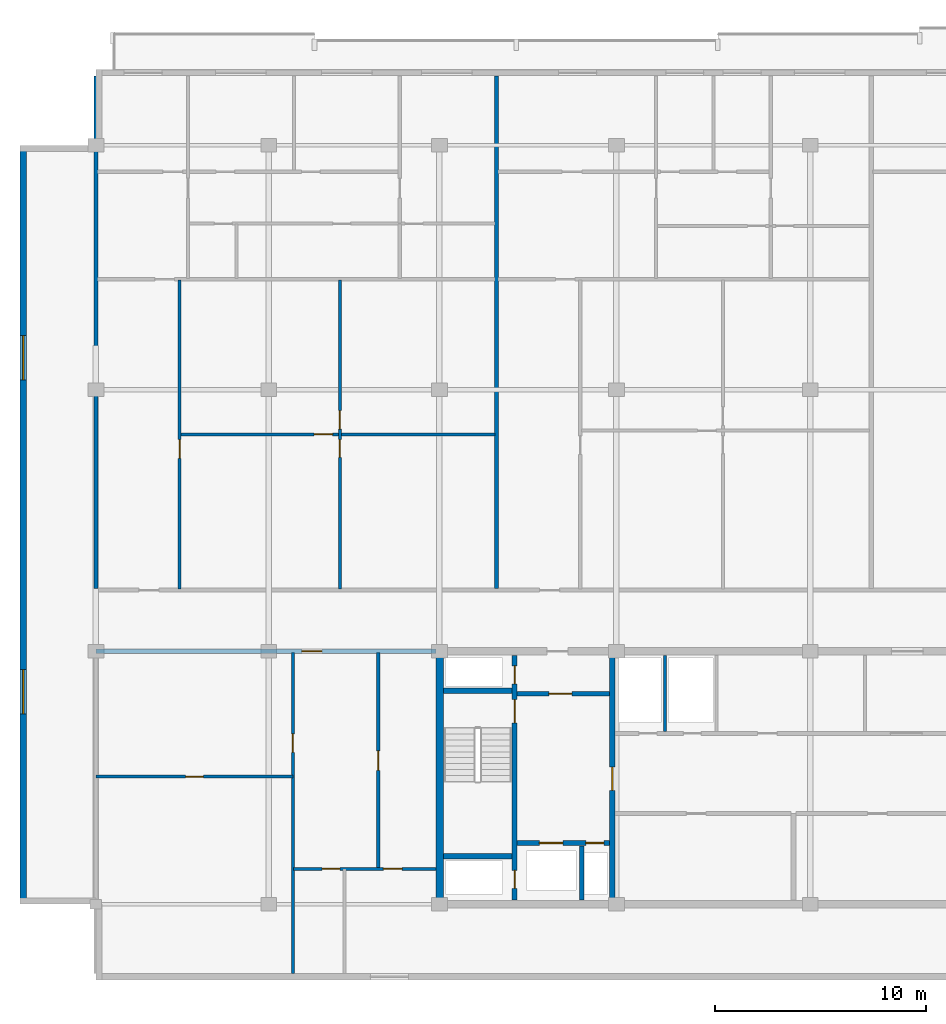
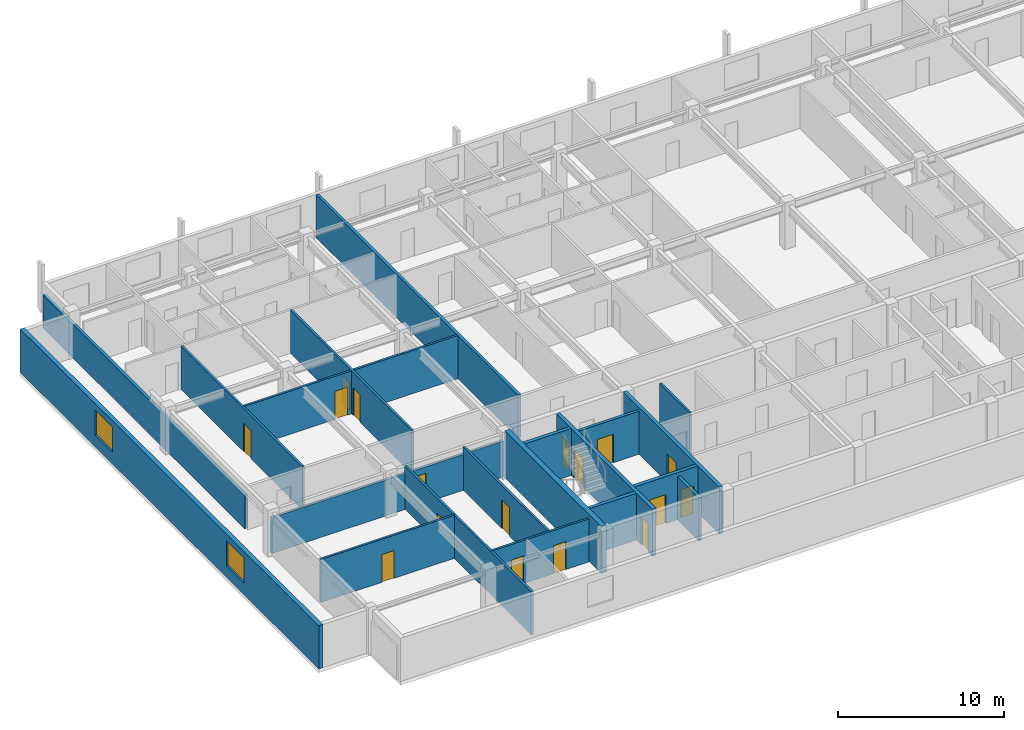
# One storey, part 3 of 11: 20 walls, 17 doors, 2 windows, 19 openings.
"""IFC4 building model written with IfcOpenShell, lengths in metres."""

from ifc_helpers import new_model, si_unit, direction, frame, frame_2d, origin, place, context, subcontext, project, spatial, rectangle, extrude, material, layer, layer_set, type_object, element, fill, save


model = new_model("IFC4")

# Units and contexts
model_context = context("Model", 3, precision=1e-05, world=origin(), true_north=direction((0.0, 1.0)))
body_context = subcontext(model_context, "Body", "Model", "MODEL_VIEW")
ifc_project = project(units=[si_unit("LENGTHUNIT", "METRE"), si_unit("AREAUNIT", "SQUARE_METRE"), si_unit("VOLUMEUNIT", "CUBIC_METRE"), si_unit("PLANEANGLEUNIT", "RADIAN"), si_unit("MASSUNIT", "GRAM", prefix="KILO")], contexts=[model_context])

# Site, building, storey
site_placement = place(None, origin())
site = spatial("IfcSite", under=ifc_project, at=site_placement, CompositionType="ELEMENT")
building_placement = place(site_placement, origin())
building = spatial("IfcBuilding", under=site, at=building_placement, Name="Korimba Cascade Residences", CompositionType="ELEMENT")
storey_placement = place(building_placement, frame((0.0, 0.0, 249.35009765625)))
storey = spatial("IfcBuildingStorey", under=building, at=storey_placement, Name="L72", CompositionType="ELEMENT", Elevation=249.35009765625)

# Wall, openings, windows
ifc_material_1 = material(Name="Precast concrete C40/50", Category="concrete")
ifc_layer_1 = layer(ifc_material_1, 0.300048828125)
ifc_layer_set_1 = layer_set([ifc_layer_1], Name="Precast concrete C40/50")
wall_type_1 = type_object("IfcWallType", Name="EW-STONE-300", PredefinedType="STANDARD", material=ifc_layer_set_1)
wall_1_placement = place(storey_placement, frame((56.35009765625, 91.199951171875, 0.0), z_axis=(0.0, 0.0, 1.0), x_axis=(0.0, -1.0, 0.0)))
wall_1 = element("IfcWall", 1, at=wall_1_placement, inside=storey, type_object=wall_type_1, Name="L72 T1 Perimeter Stone Wall E09", PredefinedType="STANDARD", context=body_context, shape_type="SweptSolid", body=[
    extrude(rectangle(XDim=36.0, YDim=0.300048828125, at=frame_2d((18.0, 0.0))), origin(), (0.0, 0.0, 1.0), 3.169921875),
])
opening_1_placement = place(wall_1_placement, frame((9.030029296875, 0.0, 0.85009765625)))
opening_1 = element("IfcOpeningElement", 2, at=opening_1_placement, cuts=wall_1, Name="Opening W-03", PredefinedType="OPENING", context=body_context, shape_type="SweptSolid", body=[
    extrude(rectangle(XDim=2.10009765625, YDim=1.85009765625, at=frame_2d((1.050048828125, 0.925048828125))), frame((0.0, 0.16015625, 0.0), z_axis=(0.0, -1.0, 0.0), x_axis=(1.0, 0.0, 0.0)), (0.0, 0.0, 1.0), 0.320068359375),
])
opening_2_placement = place(wall_1_placement, frame((24.8701171875, 0.0, 0.85009765625)))
opening_2 = element("IfcOpeningElement", 3, at=opening_2_placement, cuts=wall_1, Name="Opening W-03", PredefinedType="OPENING", context=body_context, shape_type="SweptSolid", body=[
    extrude(rectangle(XDim=2.10009765625, YDim=1.85009765625, at=frame_2d((1.050048828125, 0.925048828125))), frame((0.0, 0.16015625, 0.0), z_axis=(0.0, -1.0, 0.0), x_axis=(1.0, 0.0, 0.0)), (0.0, 0.0, 1.0), 0.320068359375),
])
ifc_material_2 = material(Name="Double-Glazed Aluminium Window", Category="aluminium")
window_type = type_object("IfcWindowType", Name="WIN-CRN-2100", PartitioningType="DOUBLE_PANEL_HORIZONTAL", PredefinedType="WINDOW", material=ifc_material_2)
window_1_placement = place(opening_1_placement, origin())
window_1 = element("IfcWindow", 4, at=window_1_placement, inside=storey, type_object=window_type, Name="L72 T1 End View Window 9.1", OverallHeight=1.85009765625, OverallWidth=2.10009765625, PartitioningType="DOUBLE_PANEL_HORIZONTAL", PredefinedType="WINDOW", context=body_context, shape_type="SweptSolid", body=[
    extrude(rectangle(XDim=2.10009765625, YDim=1.85009765625, at=frame_2d((1.050048828125, 0.925048828125))), frame((0.0, 0.030029296875, 0.0), z_axis=(0.0, -1.0, 0.0), x_axis=(1.0, 0.0, 0.0)), (0.0, 0.0, 1.0), 0.06005859375),
])
fill(opening_1, window_1)
window_2_placement = place(opening_2_placement, origin())
window_2 = element("IfcWindow", 5, at=window_2_placement, inside=storey, type_object=window_type, Name="L72 T1 End View Window 9.2", OverallHeight=1.85009765625, OverallWidth=2.10009765625, PartitioningType="DOUBLE_PANEL_HORIZONTAL", PredefinedType="WINDOW", context=body_context, shape_type="SweptSolid", body=[
    extrude(rectangle(XDim=2.10009765625, YDim=1.85009765625, at=frame_2d((1.050048828125, 0.925048828125))), frame((0.0, 0.030029296875, 0.0), z_axis=(0.0, -1.0, 0.0), x_axis=(1.0, 0.0, 0.0)), (0.0, 0.0, 1.0), 0.06005859375),
])
fill(opening_2, window_2)

# Wall
ifc_material_3 = material(Name="Concrete C65/80", Category="concrete")
ifc_layer_2 = layer(ifc_material_3, 0.35009765625)
ifc_layer_set_2 = layer_set([ifc_layer_2], Name="Concrete C65/80")
wall_type_2 = type_object("IfcWallType", Name="WAL-CORE-350", PredefinedType="SHEAR", material=ifc_layer_set_2)
wall_2_placement = place(storey_placement, frame((76.125, 55.375, 0.0), z_axis=(0.0, 0.0, 1.0), x_axis=(0.0, 1.0, 0.0)))
element("IfcWall", 6, at=wall_2_placement, inside=storey, type_object=wall_type_2, Name="L72 Core Shear Wall CW-L72-T1-W", PredefinedType="SHEAR", context=body_context, shape_type="SweptSolid", body=[
    extrude(rectangle(XDim=11.64990234375, YDim=0.35009765625, at=frame_2d((5.824951171875, 0.0))), origin(), (0.0, 0.0, 1.0), 3.449951171875),
])

# Wall, opening, door
ifc_layer_3 = layer(ifc_material_1, 0.199951171875)
ifc_layer_set_3 = layer_set([ifc_layer_3], Name="Precast concrete C40/50")
wall_type_3 = type_object("IfcWallType", Name="WAL-IT-200", PredefinedType="PARTITIONING", material=ifc_layer_set_3)
wall_3_placement = place(storey_placement, frame((59.800048828125, 67.199951171875, 0.0), z_axis=(0.0, 0.0, 1.0), x_axis=(1.0, 0.0, 0.0)))
wall_3 = element("IfcWall", 7, at=wall_3_placement, inside=storey, type_object=wall_type_3, Name="L72 Partition Wall WAL-L72-T1-FW-N", PredefinedType="PARTITIONING", context=body_context, shape_type="SweptSolid", body=[
    extrude(rectangle(XDim=16.14990234375, YDim=0.199951171875, at=frame_2d((8.074951171875, 0.0))), origin(), (0.0, 0.0, 1.0), 2.63330078125),
])
opening_3_placement = place(wall_3_placement, frame((9.7724609375, 0.0, 0.0)))
opening_3 = element("IfcOpeningElement", 8, at=opening_3_placement, cuts=wall_3, Name="Opening D-UN1", PredefinedType="OPENING", context=body_context, shape_type="SweptSolid", body=[
    extrude(rectangle(XDim=0.949951171875, YDim=2.14990234375, at=frame_2d((0.47509765625, 1.074951171875))), frame((0.0, 0.10986328125, 0.0), z_axis=(0.0, -1.0, 0.0), x_axis=(1.0, 0.0, 0.0)), (0.0, 0.0, 1.0), 0.219970703125),
])
ifc_material_4 = material(Name="Fire-Rated Hardwood Apartment Entrance Door", Category="wood")
door_type_1 = type_object("IfcDoorType", Name="DR-FD60-950", OperationType="NOTDEFINED", PredefinedType="DOOR", material=ifc_material_4)
door_1_placement = place(opening_3_placement, origin())
door_1 = element("IfcDoor", 9, at=door_1_placement, inside=storey, type_object=door_type_1, Name="L72-T1-FW Entrance Door", OperationType="SINGLE_SWING_RIGHT", OverallHeight=2.14990234375, OverallWidth=0.949951171875, PredefinedType="DOOR", context=body_context, shape_type="SweptSolid", body=[
    extrude(rectangle(XDim=0.949951171875, YDim=2.14990234375, at=frame_2d((0.47509765625, 1.074951171875))), frame((0.0, 0.02490234375, 0.0), z_axis=(0.0, -1.0, 0.0), x_axis=(1.0, 0.0, 0.0)), (0.0, 0.0, 1.0), 0.050048828125),
])
fill(opening_3, door_1)

# Walls
wall_4_placement = place(storey_placement, frame((59.800048828125, 70.179931640625, 0.0), z_axis=(0.0, 0.0, 1.0), x_axis=(0.0, 1.0, 0.0)))
element("IfcWall", 10, at=wall_4_placement, inside=storey, type_object=wall_type_3, Name="L72 Partition Wall WAL-L72-T1-BNDWL", PredefinedType="PARTITIONING", context=body_context, shape_type="SweptSolid", body=[
    extrude(rectangle(XDim=24.320068359375, YDim=0.199951171875, at=frame_2d((12.16015625, 0.0))), origin(), (0.0, 0.0, 1.0), 2.47705078125),
])
wall_5_placement = place(storey_placement, frame((78.80908203125, 70.179931640625, 0.0), z_axis=(0.0, 0.0, 1.0), x_axis=(0.0, 1.0, 0.0)))
element("IfcWall", 11, at=wall_5_placement, inside=storey, type_object=wall_type_3, Name="L72 Partition Wall WAL-L72-T1-DEM-1", PredefinedType="PARTITIONING", context=body_context, shape_type="SweptSolid", body=[
    extrude(rectangle(XDim=24.320068359375, YDim=0.199951171875, at=frame_2d((12.16015625, 0.0))), origin(), (0.0, 0.0, 1.0), 3.169921875),
])
ifc_material_5 = material(Name="Insulated Acoustic Stud Partition", Category="gypsum")
ifc_layer_4 = layer(ifc_material_5, 0.14990234375)
ifc_layer_set_4 = layer_set([ifc_layer_4], Name="Insulated Acoustic Stud Partition")
wall_type_4 = type_object("IfcWallType", Name="WAL-PART-150", PredefinedType="PARTITIONING", material=ifc_layer_set_4)
wall_6_placement = place(storey_placement, frame((86.800048828125, 63.39990234375, 0.0), z_axis=(0.0, 0.0, 1.0), x_axis=(0.0, 1.0, 0.0)))
element("IfcWall", 12, at=wall_6_placement, inside=storey, type_object=wall_type_4, Name="L72 Partition Wall CW-L72-T1-ERDIV", PredefinedType="PARTITIONING", context=body_context, shape_type="SweptSolid", body=[
    extrude(rectangle(XDim=3.60009765625, YDim=0.14990234375, at=frame_2d((1.800048828125, 0.0))), origin(), (0.0, 0.0, 1.0), 3.169921875),
])

# Wall, opening, door
wall_7_placement = place(storey_placement, frame((59.800048828125, 61.25, 0.0), z_axis=(0.0, 0.0, 1.0), x_axis=(1.0, 0.0, 0.0)))
wall_7 = element("IfcWall", 13, at=wall_7_placement, inside=storey, type_object=wall_type_4, Name="L72 Partition Wall WAL-L72-T1-FW-STH", PredefinedType="PARTITIONING", context=body_context, shape_type="SweptSolid", body=[
    extrude(rectangle(XDim=9.349853515625, YDim=0.14990234375, at=frame_2d((4.6748046875, 0.0))), origin(), (0.0, 0.0, 1.0), 3.169921875),
])
opening_4_placement = place(wall_7_placement, frame((4.2548828125, 0.0, 0.0)))
opening_4 = element("IfcOpeningElement", 14, at=opening_4_placement, cuts=wall_7, Name="Opening D-BT1", PredefinedType="OPENING", context=body_context, shape_type="SweptSolid", body=[
    extrude(rectangle(XDim=0.840087890625, YDim=2.0400390625, at=frame_2d((0.419921875, 1.02001953125))), frame((0.0, 0.0849609375, 0.0), z_axis=(0.0, -1.0, 0.0), x_axis=(1.0, 0.0, 0.0)), (0.0, 0.0, 1.0), 0.169921875),
])
ifc_material_6 = material(Name="Moisture-Resistant Bathroom Timber Door", Category="wood")
door_type_2 = type_object("IfcDoorType", Name="DR-INT-850", OperationType="NOTDEFINED", PredefinedType="DOOR", material=ifc_material_6)
door_2_placement = place(opening_4_placement, origin())
door_2 = element("IfcDoor", 15, at=door_2_placement, inside=storey, type_object=door_type_2, Name="L72-T1-FW Dressing Store Door", OperationType="SINGLE_SWING_LEFT", OverallHeight=2.0400390625, OverallWidth=0.840087890625, PredefinedType="DOOR", context=body_context, shape_type="SweptSolid", body=[
    extrude(rectangle(XDim=0.840087890625, YDim=2.0400390625, at=frame_2d((0.419921875, 1.02001953125))), frame((0.0, 0.02490234375, 0.0), z_axis=(0.0, -1.0, 0.0), x_axis=(1.0, 0.0, 0.0)), (0.0, 0.0, 1.0), 0.050048828125),
])
fill(opening_4, door_2)

wall_8_placement = place(storey_placement, frame((69.14990234375, 51.89990234375, 0.0), z_axis=(0.0, 0.0, 1.0), x_axis=(0.0, 1.0, 0.0)))
wall_8 = element("IfcWall", 16, at=wall_8_placement, inside=storey, type_object=wall_type_4, Name="L72 Partition Wall WAL-L72-T1-FW-STV", PredefinedType="PARTITIONING", context=body_context, shape_type="SweptSolid", body=[
    extrude(rectangle(XDim=15.25, YDim=0.14990234375, at=frame_2d((7.625, 0.0))), origin(), (0.0, 0.0, 1.0), 3.169921875),
])
opening_5_placement = place(wall_8_placement, frame((10.5, 0.0, 0.0)))
opening_5 = element("IfcOpeningElement", 17, at=opening_5_placement, cuts=wall_8, Name="Opening D-IN2", PredefinedType="OPENING", context=body_context, shape_type="SweptSolid", body=[
    extrude(rectangle(XDim=0.8798828125, YDim=2.06005859375, at=frame_2d((0.43994140625, 1.030029296875))), frame((0.0, 0.0849609375, 0.0), z_axis=(0.0, -1.0, 0.0), x_axis=(1.0, 0.0, 0.0)), (0.0, 0.0, 1.0), 0.169921875),
])
ifc_material_7 = material(Name="Acoustic Timber Bedroom Door", Category="wood")
door_type_3 = type_object("IfcDoorType", Name="DR-INT-880", OperationType="NOTDEFINED", PredefinedType="DOOR", material=ifc_material_7)
door_3_placement = place(opening_5_placement, origin())
door_3 = element("IfcDoor", 18, at=door_3_placement, inside=storey, type_object=door_type_3, Name="L72-T1-FW Study Door", OperationType="SINGLE_SWING_RIGHT", OverallHeight=2.06005859375, OverallWidth=0.8798828125, PredefinedType="DOOR", context=body_context, shape_type="SweptSolid", body=[
    extrude(rectangle(XDim=0.8798828125, YDim=2.06005859375, at=frame_2d((0.43994140625, 1.030029296875))), frame((0.0, 0.02490234375, 0.0), z_axis=(0.0, -1.0, 0.0), x_axis=(1.0, 0.0, 0.0)), (0.0, 0.0, 1.0), 0.050048828125),
])
fill(opening_5, door_3)

wall_9_placement = place(storey_placement, frame((73.199951171875, 56.8701171875, 0.0), z_axis=(0.0, 0.0, 1.0), x_axis=(0.0, 1.0, 0.0)))
wall_9 = element("IfcWall", 19, at=wall_9_placement, inside=storey, type_object=wall_type_4, Name="L72 Partition Wall WAL-L72-T1-FW-VN", PredefinedType="PARTITIONING", context=body_context, shape_type="SweptSolid", body=[
    extrude(rectangle(XDim=10.27978515625, YDim=0.14990234375, at=frame_2d((5.139892578125, 0.0))), origin(), (0.0, 0.0, 1.0), 3.169921875),
])
opening_6_placement = place(wall_9_placement, frame((4.679931640625, 0.0, 0.0)))
opening_6 = element("IfcOpeningElement", 20, at=opening_6_placement, cuts=wall_9, Name="Opening D-IN1", PredefinedType="OPENING", context=body_context, shape_type="SweptSolid", body=[
    extrude(rectangle(XDim=0.919921875, YDim=2.080078125, at=frame_2d((0.4599609375, 1.0400390625))), frame((0.0, 0.0849609375, 0.0), z_axis=(0.0, -1.0, 0.0), x_axis=(1.0, 0.0, 0.0)), (0.0, 0.0, 1.0), 0.169921875),
])
ifc_material_8 = material(Name="Acoustic Timber Living Door", Category="wood")
door_type_4 = type_object("IfcDoorType", Name="DR-INT-920", OperationType="NOTDEFINED", PredefinedType="DOOR", material=ifc_material_8)
door_4_placement = place(opening_6_placement, origin())
door_4 = element("IfcDoor", 21, at=door_4_placement, inside=storey, type_object=door_type_4, Name="L72-T1-FW Living Door", OperationType="SINGLE_SWING_LEFT", OverallHeight=2.080078125, OverallWidth=0.919921875, PredefinedType="DOOR", context=body_context, shape_type="SweptSolid", body=[
    extrude(rectangle(XDim=0.919921875, YDim=2.080078125, at=frame_2d((0.4599609375, 1.0400390625))), frame((0.0, 0.02490234375, 0.0), z_axis=(0.0, -1.0, 0.0), x_axis=(1.0, 0.0, 0.0)), (0.0, 0.0, 1.0), 0.050048828125),
])
fill(opening_6, door_4)

# Wall, openings, doors
wall_10_placement = place(storey_placement, frame((69.169921875, 56.8701171875, 0.0), z_axis=(0.0, 0.0, 1.0), x_axis=(1.0, 0.0, 0.0)))
wall_10 = element("IfcWall", 22, at=wall_10_placement, inside=storey, type_object=wall_type_4, Name="L72 Partition Wall WAL-L72-T1-FW-H", PredefinedType="PARTITIONING", context=body_context, shape_type="SweptSolid", body=[
    extrude(rectangle(XDim=6.760009765625, YDim=0.14990234375, at=frame_2d((3.3798828125, 0.0))), origin(), (0.0, 0.0, 1.0), 3.169921875),
])
opening_7_placement = place(wall_10_placement, frame((1.3623046875, 0.0, 0.0)))
opening_7 = element("IfcOpeningElement", 23, at=opening_7_placement, cuts=wall_10, Name="Opening D-BT1", PredefinedType="OPENING", context=body_context, shape_type="SweptSolid", body=[
    extrude(rectangle(XDim=0.840087890625, YDim=2.0400390625, at=frame_2d((0.419921875, 1.02001953125))), frame((0.0, 0.0849609375, 0.0), z_axis=(0.0, -1.0, 0.0), x_axis=(1.0, 0.0, 0.0)), (0.0, 0.0, 1.0), 0.169921875),
])
opening_8_placement = place(wall_10_placement, frame((4.276611328125, 0.0, 0.0)))
opening_8 = element("IfcOpeningElement", 24, at=opening_8_placement, cuts=wall_10, Name="Opening D-IN2", PredefinedType="OPENING", context=body_context, shape_type="SweptSolid", body=[
    extrude(rectangle(XDim=0.8798828125, YDim=2.06005859375, at=frame_2d((0.43994140625, 1.030029296875))), frame((0.0, 0.0849609375, 0.0), z_axis=(0.0, -1.0, 0.0), x_axis=(1.0, 0.0, 0.0)), (0.0, 0.0, 1.0), 0.169921875),
])
door_5_placement = place(opening_7_placement, origin())
door_5 = element("IfcDoor", 25, at=door_5_placement, inside=storey, type_object=door_type_2, Name="L72-T1-FW Bathroom Door", OperationType="SINGLE_SWING_RIGHT", OverallHeight=2.0400390625, OverallWidth=0.840087890625, PredefinedType="DOOR", context=body_context, shape_type="SweptSolid", body=[
    extrude(rectangle(XDim=0.840087890625, YDim=2.0400390625, at=frame_2d((0.419921875, 1.02001953125))), frame((0.0, 0.02490234375, 0.0), z_axis=(0.0, -1.0, 0.0), x_axis=(1.0, 0.0, 0.0)), (0.0, 0.0, 1.0), 0.050048828125),
])
fill(opening_7, door_5)
door_6_placement = place(opening_8_placement, origin())
door_6 = element("IfcDoor", 26, at=door_6_placement, inside=storey, type_object=door_type_3, Name="L72-T1-FW Bedroom Door", OperationType="SINGLE_SWING_LEFT", OverallHeight=2.06005859375, OverallWidth=0.8798828125, PredefinedType="DOOR", context=body_context, shape_type="SweptSolid", body=[
    extrude(rectangle(XDim=0.8798828125, YDim=2.06005859375, at=frame_2d((0.43994140625, 1.030029296875))), frame((0.0, 0.02490234375, 0.0), z_axis=(0.0, -1.0, 0.0), x_axis=(1.0, 0.0, 0.0)), (0.0, 0.0, 1.0), 0.050048828125),
])
fill(opening_8, door_6)

wall_11_placement = place(storey_placement, frame((71.37939453125, 70.159912109375, 0.0), z_axis=(0.0, 0.0, 1.0), x_axis=(0.0, 1.0, 0.0)))
wall_11 = element("IfcWall", 27, at=wall_11_placement, inside=storey, type_object=wall_type_4, Name="L72 Partition Wall WAL-L72-T1-U01-FMV", PredefinedType="PARTITIONING", context=body_context, shape_type="SweptSolid", body=[
    extrude(rectangle(XDim=14.650146484375, YDim=0.14990234375, at=frame_2d((7.3251953125, 0.0))), origin(), (0.0, 0.0, 1.0), 3.169921875),
])
opening_9_placement = place(wall_11_placement, frame((6.235107421875, 0.0, 0.0)))
opening_9 = element("IfcOpeningElement", 28, at=opening_9_placement, cuts=wall_11, Name="Opening D-BT1", PredefinedType="OPENING", context=body_context, shape_type="SweptSolid", body=[
    extrude(rectangle(XDim=0.840087890625, YDim=2.0400390625, at=frame_2d((0.419921875, 1.02001953125))), frame((0.0, 0.0849609375, 0.0), z_axis=(0.0, -1.0, 0.0), x_axis=(1.0, 0.0, 0.0)), (0.0, 0.0, 1.0), 0.169921875),
])
opening_10_placement = place(wall_11_placement, frame((7.574951171875, 0.0, 0.0)))
opening_10 = element("IfcOpeningElement", 29, at=opening_10_placement, cuts=wall_11, Name="Opening D-IN2", PredefinedType="OPENING", context=body_context, shape_type="SweptSolid", body=[
    extrude(rectangle(XDim=0.8798828125, YDim=2.06005859375, at=frame_2d((0.43994140625, 1.030029296875))), frame((0.0, 0.0849609375, 0.0), z_axis=(0.0, -1.0, 0.0), x_axis=(1.0, 0.0, 0.0)), (0.0, 0.0, 1.0), 0.169921875),
])
door_7_placement = place(opening_9_placement, origin())
door_7 = element("IfcDoor", 30, at=door_7_placement, inside=storey, type_object=door_type_2, Name="L72-T1-U01 Wardrobe Door", OperationType="SINGLE_SWING_LEFT", OverallHeight=2.0400390625, OverallWidth=0.840087890625, PredefinedType="DOOR", context=body_context, shape_type="SweptSolid", body=[
    extrude(rectangle(XDim=0.840087890625, YDim=2.0400390625, at=frame_2d((0.419921875, 1.02001953125))), frame((0.0, 0.02490234375, 0.0), z_axis=(0.0, -1.0, 0.0), x_axis=(1.0, 0.0, 0.0)), (0.0, 0.0, 1.0), 0.050048828125),
])
fill(opening_9, door_7)
door_8_placement = place(opening_10_placement, origin())
door_8 = element("IfcDoor", 31, at=door_8_placement, inside=storey, type_object=door_type_3, Name="L72-T1-U01 Music Lounge Door", OperationType="SINGLE_SWING_RIGHT", OverallHeight=2.06005859375, OverallWidth=0.8798828125, PredefinedType="DOOR", context=body_context, shape_type="SweptSolid", body=[
    extrude(rectangle(XDim=0.8798828125, YDim=2.06005859375, at=frame_2d((0.43994140625, 1.030029296875))), frame((0.0, 0.02490234375, 0.0), z_axis=(0.0, -1.0, 0.0), x_axis=(1.0, 0.0, 0.0)), (0.0, 0.0, 1.0), 0.050048828125),
])
fill(opening_10, door_8)

# Wall, opening, door
wall_12_placement = place(storey_placement, frame((63.830078125, 77.485107421875, 0.0), z_axis=(0.0, 0.0, 1.0), x_axis=(1.0, 0.0, 0.0)))
wall_12 = element("IfcWall", 32, at=wall_12_placement, inside=storey, type_object=wall_type_4, Name="L72 Partition Wall WAL-L72-T1-U01-FMH", PredefinedType="PARTITIONING", context=body_context, shape_type="SweptSolid", body=[
    extrude(rectangle(XDim=14.89892578125, YDim=0.14990234375, at=frame_2d((7.449462890625, 0.0))), origin(), (0.0, 0.0, 1.0), 3.169921875),
])
opening_11_placement = place(wall_12_placement, frame((6.327392578125, 0.0, 0.0)))
opening_11 = element("IfcOpeningElement", 33, at=opening_11_placement, cuts=wall_12, Name="Opening D-IN2", PredefinedType="OPENING", context=body_context, shape_type="SweptSolid", body=[
    extrude(rectangle(XDim=0.8798828125, YDim=2.06005859375, at=frame_2d((0.43994140625, 1.030029296875))), frame((0.0, 0.0849609375, 0.0), z_axis=(0.0, -1.0, 0.0), x_axis=(1.0, 0.0, 0.0)), (0.0, 0.0, 1.0), 0.169921875),
])
door_9_placement = place(opening_11_placement, origin())
door_9 = element("IfcDoor", 34, at=door_9_placement, inside=storey, type_object=door_type_3, Name="L72-T1-U01 Library Salon Door", OperationType="SINGLE_SWING_LEFT", OverallHeight=2.06005859375, OverallWidth=0.8798828125, PredefinedType="DOOR", context=body_context, shape_type="SweptSolid", body=[
    extrude(rectangle(XDim=0.8798828125, YDim=2.06005859375, at=frame_2d((0.43994140625, 1.030029296875))), frame((0.0, 0.02490234375, 0.0), z_axis=(0.0, -1.0, 0.0), x_axis=(1.0, 0.0, 0.0)), (0.0, 0.0, 1.0), 0.050048828125),
])
fill(opening_11, door_9)

wall_13_placement = place(storey_placement, frame((63.77001953125, 70.159912109375, 0.0), z_axis=(0.0, 0.0, 1.0), x_axis=(0.0, 1.0, 0.0)))
wall_13 = element("IfcWall", 35, at=wall_13_placement, inside=storey, type_object=wall_type_4, Name="L72 Partition Wall WAL-L72-T1-U01-FV", PredefinedType="PARTITIONING", context=body_context, shape_type="SweptSolid", body=[
    extrude(rectangle(XDim=14.650146484375, YDim=0.14990234375, at=frame_2d((7.3251953125, 0.0))), origin(), (0.0, 0.0, 1.0), 3.169921875),
])
opening_12_placement = place(wall_13_placement, frame((6.195068359375, 0.0, 0.0)))
opening_12 = element("IfcOpeningElement", 36, at=opening_12_placement, cuts=wall_13, Name="Opening D-IN2", PredefinedType="OPENING", context=body_context, shape_type="SweptSolid", body=[
    extrude(rectangle(XDim=0.8798828125, YDim=2.06005859375, at=frame_2d((0.43994140625, 1.030029296875))), frame((0.0, 0.0849609375, 0.0), z_axis=(0.0, -1.0, 0.0), x_axis=(1.0, 0.0, 0.0)), (0.0, 0.0, 1.0), 0.169921875),
])
door_10_placement = place(opening_12_placement, origin())
door_10 = element("IfcDoor", 37, at=door_10_placement, inside=storey, type_object=door_type_3, Name="L72-T1-U01 Media Lounge Door", OperationType="SINGLE_SWING_RIGHT", OverallHeight=2.06005859375, OverallWidth=0.8798828125, PredefinedType="DOOR", context=body_context, shape_type="SweptSolid", body=[
    extrude(rectangle(XDim=0.8798828125, YDim=2.06005859375, at=frame_2d((0.43994140625, 1.030029296875))), frame((0.0, 0.02490234375, 0.0), z_axis=(0.0, -1.0, 0.0), x_axis=(1.0, 0.0, 0.0)), (0.0, 0.0, 1.0), 0.050048828125),
])
fill(opening_12, door_10)

# Wall
ifc_material_9 = material(Name="Concrete C40/50", Category="concrete")
ifc_layer_5 = layer(ifc_material_9, 0.199951171875)
ifc_layer_set_5 = layer_set([ifc_layer_5], Name="Concrete C40/50")
wall_type_5 = type_object("IfcWallType", Name="WAL-PART-200", PredefinedType="PARTITIONING", material=ifc_layer_set_5)
wall_14_placement = place(storey_placement, frame((82.85009765625, 55.39990234375, 0.0), z_axis=(0.0, 0.0, 1.0), x_axis=(0.0, 1.0, 0.0)))
element("IfcWall", 38, at=wall_14_placement, inside=storey, type_object=wall_type_5, Name="L72 Partition Wall CW-L72-T1-FFLDIV", PredefinedType="PARTITIONING", context=body_context, shape_type="SweptSolid", body=[
    extrude(rectangle(XDim=2.56005859375, YDim=0.199951171875, at=frame_2d((1.280029296875, 0.0))), origin(), (0.0, 0.0, 1.0), 3.169921875),
])

# Wall, opening, door
wall_15_placement = place(storey_placement, frame((79.7900390625, 65.179931640625, 0.0), z_axis=(0.0, 0.0, 1.0), x_axis=(1.0, 0.0, 0.0)))
wall_15 = element("IfcWall", 39, at=wall_15_placement, inside=storey, type_object=wall_type_5, Name="L72 Partition Wall CW-L72-T1-FFLN", PredefinedType="PARTITIONING", context=body_context, shape_type="SweptSolid", body=[
    extrude(rectangle(XDim=4.389892578125, YDim=0.199951171875, at=frame_2d((2.19482421875, 0.0))), origin(), (0.0, 0.0, 1.0), 3.169921875),
])
opening_13_placement = place(wall_15_placement, frame((1.5, 0.0, 0.0)))
opening_13 = element("IfcOpeningElement", 40, at=opening_13_placement, cuts=wall_15, Name="Opening D-FD1", PredefinedType="OPENING", context=body_context, shape_type="SweptSolid", body=[
    extrude(rectangle(XDim=1.10009765625, YDim=2.10009765625, at=frame_2d((0.550048828125, 1.050048828125))), frame((0.0, 0.10986328125, 0.0), z_axis=(0.0, -1.0, 0.0), x_axis=(1.0, 0.0, 0.0)), (0.0, 0.0, 1.0), 0.219970703125),
])
ifc_material_10 = material(Name="Fire-Rated Steel Core Door", Category="steel")
door_type_5 = type_object("IfcDoorType", Name="DR-FD120-1100", OperationType="NOTDEFINED", PredefinedType="DOOR", material=ifc_material_10)
door_11_placement = place(opening_13_placement, origin())
door_11 = element("IfcDoor", 41, at=door_11_placement, inside=storey, type_object=door_type_5, Name="L72 West Firefighting Lobby Door", OperationType="SINGLE_SWING_LEFT", OverallHeight=2.10009765625, OverallWidth=1.10009765625, PredefinedType="DOOR", context=body_context, shape_type="SweptSolid", body=[
    extrude(rectangle(XDim=1.10009765625, YDim=2.10009765625, at=frame_2d((0.550048828125, 1.050048828125))), frame((0.0, 0.02490234375, 0.0), z_axis=(0.0, -1.0, 0.0), x_axis=(1.0, 0.0, 0.0)), (0.0, 0.0, 1.0), 0.050048828125),
])
fill(opening_13, door_11)

# Wall, openings, doors
ifc_material_11 = material(Name="Concrete C50/60", Category="concrete")
ifc_layer_6 = layer(ifc_material_11, 0.25)
ifc_layer_set_6 = layer_set([ifc_layer_6], Name="Concrete C50/60")
wall_type_6 = type_object("IfcWallType", Name="WAL-SHAFT-250", PredefinedType="SHEAR", material=ifc_layer_set_6)
wall_16_placement = place(storey_placement, frame((79.6650390625, 55.39990234375, 0.0), z_axis=(0.0, 0.0, 1.0), x_axis=(0.0, 1.0, 0.0)))
wall_16 = element("IfcWall", 42, at=wall_16_placement, inside=storey, type_object=wall_type_6, Name="L72 Core Shear Wall CW-L72-T1-STW1E", PredefinedType="SHEAR", context=body_context, shape_type="SweptSolid", body=[
    extrude(rectangle(XDim=11.60009765625, YDim=0.25, at=frame_2d((5.800048828125, 0.0))), origin(), (0.0, 0.0, 1.0), 3.449951171875),
])
opening_14_placement = place(wall_16_placement, frame((0.550048828125, 0.0, 0.0)))
opening_14 = element("IfcOpeningElement", 43, at=opening_14_placement, cuts=wall_16, Name="Opening D-RS1", PredefinedType="OPENING", context=body_context, shape_type="SweptSolid", body=[
    extrude(rectangle(XDim=0.85009765625, YDim=2.050048828125, at=frame_2d((0.425048828125, 1.02490234375))), frame((0.0, 0.135009765625, 0.0), z_axis=(0.0, -1.0, 0.0), x_axis=(1.0, 0.0, 0.0)), (0.0, 0.0, 1.0), 0.27001953125),
])
opening_15_placement = place(wall_16_placement, frame((8.39990234375, 0.0, 0.0)))
opening_15 = element("IfcOpeningElement", 44, at=opening_15_placement, cuts=wall_16, Name="Opening D-FD1", PredefinedType="OPENING", context=body_context, shape_type="SweptSolid", body=[
    extrude(rectangle(XDim=1.10009765625, YDim=2.10009765625, at=frame_2d((0.550048828125, 1.050048828125))), frame((0.0, 0.135009765625, 0.0), z_axis=(0.0, -1.0, 0.0), x_axis=(1.0, 0.0, 0.0)), (0.0, 0.0, 1.0), 0.27001953125),
])
opening_16_placement = place(wall_16_placement, frame((10.25, 0.0, 0.0)))
opening_16 = element("IfcOpeningElement", 45, at=opening_16_placement, cuts=wall_16, Name="Opening D-RS1", PredefinedType="OPENING", context=body_context, shape_type="SweptSolid", body=[
    extrude(rectangle(XDim=0.85009765625, YDim=2.050048828125, at=frame_2d((0.425048828125, 1.02490234375))), frame((0.0, 0.135009765625, 0.0), z_axis=(0.0, -1.0, 0.0), x_axis=(1.0, 0.0, 0.0)), (0.0, 0.0, 1.0), 0.27001953125),
])
door_12_placement = place(opening_15_placement, origin())
door_12 = element("IfcDoor", 46, at=door_12_placement, inside=storey, type_object=door_type_5, Name="L72 Fire Stair ST-W1 Door", OperationType="SINGLE_SWING_RIGHT", OverallHeight=2.10009765625, OverallWidth=1.10009765625, PredefinedType="DOOR", context=body_context, shape_type="SweptSolid", body=[
    extrude(rectangle(XDim=1.10009765625, YDim=2.10009765625, at=frame_2d((0.550048828125, 1.050048828125))), frame((0.0, 0.02490234375, 0.0), z_axis=(0.0, -1.0, 0.0), x_axis=(1.0, 0.0, 0.0)), (0.0, 0.0, 1.0), 0.050048828125),
])
fill(opening_15, door_12)
ifc_material_12 = material(Name="Fire-Rated Steel Riser Access Door", Category="steel")
door_type_6 = type_object("IfcDoorType", Name="DR-FD60-850", OperationType="NOTDEFINED", PredefinedType="DOOR", material=ifc_material_12)
door_13_placement = place(opening_14_placement, origin())
door_13 = element("IfcDoor", 47, at=door_13_placement, inside=storey, type_object=door_type_6, Name="L72 Smoke Riser Access Door", OperationType="SINGLE_SWING_LEFT", OverallHeight=2.050048828125, OverallWidth=0.85009765625, PredefinedType="DOOR", context=body_context, shape_type="SweptSolid", body=[
    extrude(rectangle(XDim=0.85009765625, YDim=2.050048828125, at=frame_2d((0.425048828125, 1.02490234375))), frame((0.0, 0.02490234375, 0.0), z_axis=(0.0, -1.0, 0.0), x_axis=(1.0, 0.0, 0.0)), (0.0, 0.0, 1.0), 0.050048828125),
])
fill(opening_14, door_13)
door_14_placement = place(opening_16_placement, origin())
door_14 = element("IfcDoor", 48, at=door_14_placement, inside=storey, type_object=door_type_6, Name="L72 Hydrant Riser Access Door", OperationType="SINGLE_SWING_LEFT", OverallHeight=2.050048828125, OverallWidth=0.85009765625, PredefinedType="DOOR", context=body_context, shape_type="SweptSolid", body=[
    extrude(rectangle(XDim=0.85009765625, YDim=2.050048828125, at=frame_2d((0.425048828125, 1.02490234375))), frame((0.0, 0.02490234375, 0.0), z_axis=(0.0, -1.0, 0.0), x_axis=(1.0, 0.0, 0.0)), (0.0, 0.0, 1.0), 0.050048828125),
])
fill(opening_16, door_14)

# Walls
for number, where, z_axis, x_axis, name in (
    (49, (76.300048828125, 57.47509765625, 0.0), (0.0, 0.0, 1.0), (1.0, 0.0, 0.0), "L72 Core Shear Wall CW-L72-T1-STW1S"),
    (50, (76.300048828125, 65.324951171875, 0.0), (0.0, 0.0, 1.0), (1.0, 0.0, 0.0), "L72 Core Shear Wall CW-L72-T1-STW1N"),
):
    element("IfcWall", number, at=place(storey_placement, frame(where, z_axis=z_axis, x_axis=x_axis)), inside=storey, type_object=wall_type_6, Name=name, PredefinedType="SHEAR", context=body_context, shape_type="SweptSolid", body=[
        extrude(rectangle(XDim=3.239990234375, YDim=0.25, at=frame_2d((1.6201171875, 0.0))), origin(), (0.0, 0.0, 1.0), 3.449951171875),
    ])

# Wall, openings, doors
wall_17_placement = place(storey_placement, frame((79.7900390625, 58.10009765625, 0.0), z_axis=(0.0, 0.0, 1.0), x_axis=(1.0, 0.0, 0.0)))
wall_17 = element("IfcWall", 51, at=wall_17_placement, inside=storey, type_object=wall_type_6, Name="L72 Core Shear Wall CW-L72-T1-FFLS", PredefinedType="SHEAR", context=body_context, shape_type="SweptSolid", body=[
    extrude(rectangle(XDim=4.389892578125, YDim=0.25, at=frame_2d((2.19482421875, 0.0))), origin(), (0.0, 0.0, 1.0), 3.449951171875),
])
opening_17_placement = place(wall_17_placement, frame((1.050048828125, 0.0, 0.0)))
opening_17 = element("IfcOpeningElement", 52, at=opening_17_placement, cuts=wall_17, Name="Opening LD-01", PredefinedType="OPENING", context=body_context, shape_type="SweptSolid", body=[
    extrude(rectangle(XDim=1.1201171875, YDim=2.1201171875, at=frame_2d((0.56005859375, 1.06005859375))), frame((0.0, 0.135009765625, 0.0), z_axis=(0.0, -1.0, 0.0), x_axis=(1.0, 0.0, 0.0)), (0.0, 0.0, 1.0), 0.27001953125),
])
opening_18_placement = place(wall_17_placement, frame((3.260009765625, 0.0, 0.0)))
opening_18 = element("IfcOpeningElement", 53, at=opening_18_placement, cuts=wall_17, Name="Opening D-RS1", PredefinedType="OPENING", context=body_context, shape_type="SweptSolid", body=[
    extrude(rectangle(XDim=0.85009765625, YDim=2.050048828125, at=frame_2d((0.425048828125, 1.02490234375))), frame((0.0, 0.135009765625, 0.0), z_axis=(0.0, -1.0, 0.0), x_axis=(1.0, 0.0, 0.0)), (0.0, 0.0, 1.0), 0.27001953125),
])
door_15_placement = place(opening_18_placement, origin())
door_15 = element("IfcDoor", 54, at=door_15_placement, inside=storey, type_object=door_type_6, Name="L72 Pressurisation Riser Door", OperationType="SINGLE_SWING_RIGHT", OverallHeight=2.050048828125, OverallWidth=0.85009765625, PredefinedType="DOOR", context=body_context, shape_type="SweptSolid", body=[
    extrude(rectangle(XDim=0.85009765625, YDim=2.050048828125, at=frame_2d((0.425048828125, 1.02490234375))), frame((0.0, 0.02490234375, 0.0), z_axis=(0.0, -1.0, 0.0), x_axis=(1.0, 0.0, 0.0)), (0.0, 0.0, 1.0), 0.050048828125),
])
fill(opening_18, door_15)
ifc_material_13 = material(Name="Stainless Steel Lift Landing Sliding Door", Category="steel")
door_type_7 = type_object("IfcDoorType", Name="DR-LIFT-1100", OperationType="NOTDEFINED", PredefinedType="DOOR", material=ifc_material_13)
door_16_placement = place(opening_17_placement, origin())
door_16 = element("IfcDoor", 55, at=door_16_placement, inside=storey, type_object=door_type_7, Name="L72 Firefighting Lift Landing Door FFL-W1", OperationType="SLIDING_TO_LEFT", OverallHeight=2.1201171875, OverallWidth=1.1201171875, PredefinedType="DOOR", context=body_context, shape_type="SweptSolid", body=[
    extrude(rectangle(XDim=1.1201171875, YDim=2.1201171875, at=frame_2d((0.56005859375, 1.06005859375))), frame((0.0, 0.02490234375, 0.0), z_axis=(0.0, -1.0, 0.0), x_axis=(1.0, 0.0, 0.0)), (0.0, 0.0, 1.0), 0.050048828125),
])
fill(opening_17, door_16)

# Wall, opening, door
wall_18_placement = place(storey_placement, frame((84.300048828125, 55.39990234375, 0.0), z_axis=(0.0, 0.0, 1.0), x_axis=(0.0, 1.0, 0.0)))
wall_18 = element("IfcWall", 56, at=wall_18_placement, inside=storey, type_object=wall_type_6, Name="L72 Core Shear Wall CW-L72-T1-FFLE", PredefinedType="SHEAR", context=body_context, shape_type="SweptSolid", body=[
    extrude(rectangle(XDim=11.60009765625, YDim=0.25, at=frame_2d((5.800048828125, 0.0))), origin(), (0.0, 0.0, 1.0), 3.449951171875),
])
opening_19_placement = place(wall_18_placement, frame((5.199951171875, 0.0, 0.0)))
opening_19 = element("IfcOpeningElement", 57, at=opening_19_placement, cuts=wall_18, Name="Opening D-FD1", PredefinedType="OPENING", context=body_context, shape_type="SweptSolid", body=[
    extrude(rectangle(XDim=1.10009765625, YDim=2.10009765625, at=frame_2d((0.550048828125, 1.050048828125))), frame((0.0, 0.135009765625, 0.0), z_axis=(0.0, -1.0, 0.0), x_axis=(1.0, 0.0, 0.0)), (0.0, 0.0, 1.0), 0.27001953125),
])
door_17_placement = place(opening_19_placement, origin())
door_17 = element("IfcDoor", 58, at=door_17_placement, inside=storey, type_object=door_type_5, Name="L72 Firefighting Lobby to Lift Lobby Door", OperationType="SINGLE_SWING_RIGHT", OverallHeight=2.10009765625, OverallWidth=1.10009765625, PredefinedType="DOOR", context=body_context, shape_type="SweptSolid", body=[
    extrude(rectangle(XDim=1.10009765625, YDim=2.10009765625, at=frame_2d((0.550048828125, 1.050048828125))), frame((0.0, 0.02490234375, 0.0), z_axis=(0.0, -1.0, 0.0), x_axis=(1.0, 0.0, 0.0)), (0.0, 0.0, 1.0), 0.050048828125),
])
fill(opening_19, door_17)

save(model, "model.ifc")
